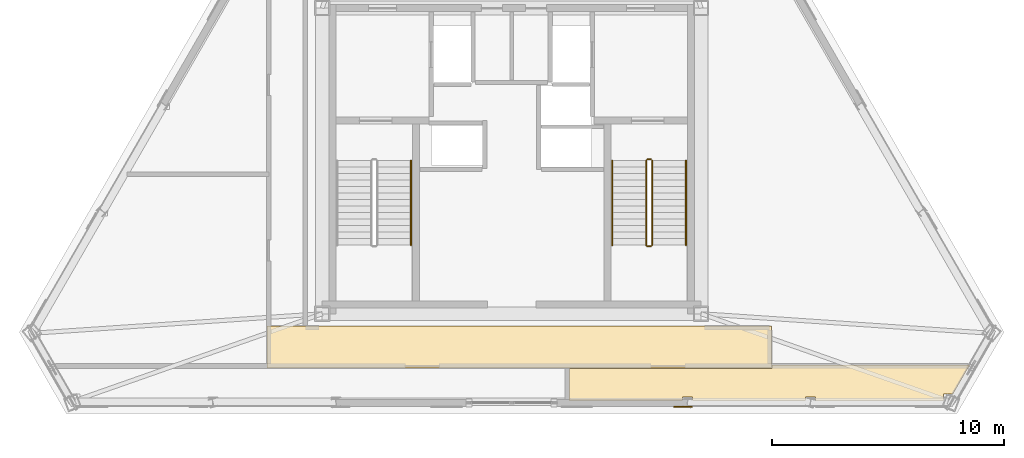
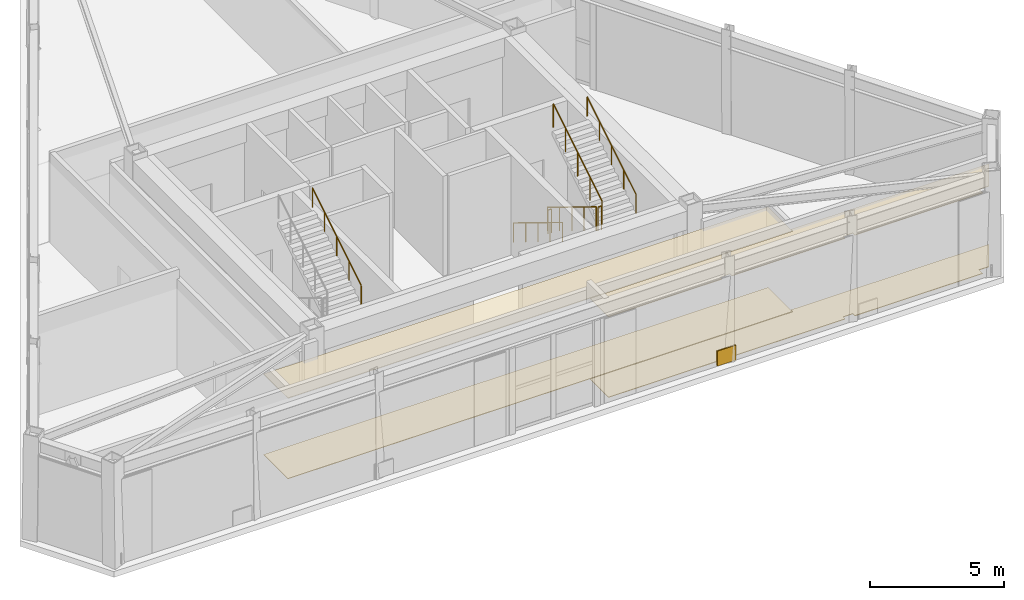
# One storey, part 11 of 12: 7 railings, 5 coverings.
"""IFC4 building model written with IfcOpenShell, lengths in metres."""

from ifc_helpers import new_model, si_unit, direction, frame, origin, origin_2d, place, context, subcontext, project, spatial, polyline, rectangle, circle, outline, extrude, material, layer, layer_set, type_object, element, save


model = new_model("IFC4")

# Units and contexts
model_context = context("Model", 3, precision=1e-05, world=origin(), true_north=direction((0.0, 1.0)))
body_context = subcontext(model_context, "Body", "Model", "MODEL_VIEW")
ifc_project = project(units=[si_unit("LENGTHUNIT", "METRE"), si_unit("AREAUNIT", "SQUARE_METRE"), si_unit("VOLUMEUNIT", "CUBIC_METRE"), si_unit("PLANEANGLEUNIT", "RADIAN"), si_unit("MASSUNIT", "GRAM", prefix="KILO")], contexts=[model_context])

# Site, building, storey
site_placement = place(None, origin())
site = spatial("IfcSite", under=ifc_project, at=site_placement, CompositionType="ELEMENT")
building_placement = place(site_placement, origin())
building = spatial("IfcBuilding", under=site, at=building_placement, Name="Oramaril Tower", CompositionType="ELEMENT")
storey_placement = place(building_placement, frame((0.0, 0.0, 314.10009765625)))
storey = spatial("IfcBuildingStorey", under=building, at=storey_placement, Name="L82", CompositionType="ELEMENT", Elevation=314.10009765625)

# Coverings
ifc_material_1 = material(Name="Mineral Fibre Acoustic Ceiling")
ifc_layer_1 = layer(ifc_material_1, 0.02001953125)
ifc_layer_set_1 = layer_set([ifc_layer_1], Name="CVT-CEIL")
covering_type_1 = type_object("IfcCoveringType", Name="CVT-CEIL", PredefinedType="CEILING", material=ifc_layer_set_1)
covering_1_placement = place(storey_placement, frame((0.0, 0.0, 3.671875)))
element("IfcCovering", 1, at=covering_1_placement, inside=storey, type_object=covering_type_1, Name="L82 Acoustic Suspended Ceiling 1", PredefinedType="CEILING", context=body_context, shape_type="SweptSolid", body=[
    extrude(outline(polyline([(48.679931640625, 10.47998046875), (48.679931640625, 8.669921875), (26.969970703125, 8.669921875), (26.969970703125, 10.47998046875), (48.679931640625, 10.47998046875)])), origin(), (0.0, 0.0, 1.0), 0.02001953125),
])
covering_2_placement = place(storey_placement, frame((0.0, 0.0, 3.671875)))
element("IfcCovering", 2, at=covering_2_placement, inside=storey, type_object=covering_type_1, Name="L82 Acoustic Suspended Ceiling 5", PredefinedType="CEILING", context=body_context, shape_type="SweptSolid", body=[
    extrude(outline(polyline([(50.567626953125, 7.425537109375), (50.140380859375, 7.425537109375), (50.140380859375, 7.272216796875), (45.27197265625, 7.272216796875), (45.27197265625, 7.425537109375), (44.8505859375, 7.425537109375), (44.8505859375, 7.272216796875), (39.9619140625, 7.272216796875), (39.9619140625, 8.64990234375), (48.679931640625, 8.64990234375), (48.681884765625, 8.650146484375), (48.683837890625, 8.650390625), (48.685791015625, 8.65087890625), (48.687744140625, 8.651611328125), (48.689453125, 8.65234375), (48.691162109375, 8.6533203125), (48.692626953125, 8.654541015625), (48.694091796875, 8.656005859375), (48.695556640625, 8.6572265625), (48.696533203125, 8.658935546875), (48.697509765625, 8.66064453125), (48.698486328125, 8.662353515625), (48.69921875, 8.664306640625), (48.69970703125, 8.666015625), (48.699951171875, 8.66796875), (48.699951171875, 8.669921875), (48.699951171875, 8.7919921875), (57.207763671875, 8.7919921875), (56.484375, 7.5390625), (56.072509765625, 7.5390625), (56.072509765625, 7.272216796875), (50.567626953125, 7.272216796875), (50.567626953125, 7.425537109375)])), origin(), (0.0, 0.0, 1.0), 0.02001953125),
])
ifc_material_2 = material(Name="Warm Cream Limestone", Category="masonry")
ifc_layer_2 = layer(ifc_material_2, 0.050048828125)
ifc_layer_set_2 = layer_set([ifc_layer_2], Name="CVT-CLD")
covering_type_2 = type_object("IfcCoveringType", Name="CVT-CLD", PredefinedType="CLADDING", material=ifc_layer_set_2)
covering_3_placement = place(storey_placement, frame((44.87158203125, 6.996337890625, 0.0400390625), z_axis=(0.0, 0.0, 1.0), x_axis=(1.0, 0.0, 0.0)))
element("IfcCovering", 3, at=covering_3_placement, inside=storey, type_object=covering_type_2, Name="L82 Warm Cream Limestone Spandrel Cladding", PredefinedType="CLADDING", context=body_context, shape_type="SweptSolid", body=[
    extrude(rectangle(XDim=0.800048828125, YDim=0.050048828125, at=origin_2d()), origin(), (0.0, 0.0, 1.0), 0.679931640625),
])
ifc_material_3 = material(Name="Honed Quartzite Stone Flooring", Category="masonry")
ifc_layer_3 = layer(ifc_material_3, 0.02490234375)
ifc_layer_set_3 = layer_set([ifc_layer_3], Name="CVT-FLR")
covering_type_3 = type_object("IfcCoveringType", Name="CVT-FLR", PredefinedType="FLOORING", material=ifc_layer_set_3)
covering_4_placement = place(storey_placement, origin())
element("IfcCovering", 4, at=covering_4_placement, inside=storey, type_object=covering_type_3, Name="L82 Honed Stone Floor Finish 1", PredefinedType="FLOORING", context=body_context, shape_type="SweptSolid", body=[
    extrude(outline(polyline([(48.679931640625, 10.47998046875), (48.679931640625, 8.669921875), (26.969970703125, 8.669921875), (26.969970703125, 10.47998046875), (48.679931640625, 10.47998046875)])), origin(), (0.0, 0.0, 1.0), 0.02490234375),
])
covering_5_placement = place(storey_placement, origin())
element("IfcCovering", 5, at=covering_5_placement, inside=storey, type_object=covering_type_3, Name="L82 Honed Stone Floor Finish 5", PredefinedType="FLOORING", context=body_context, shape_type="SweptSolid", body=[
    extrude(outline(polyline([(50.567626953125, 7.425537109375), (50.140380859375, 7.425537109375), (50.140380859375, 7.272216796875), (45.27197265625, 7.272216796875), (45.27197265625, 7.425537109375), (44.8505859375, 7.425537109375), (44.8505859375, 7.272216796875), (39.9619140625, 7.272216796875), (39.9619140625, 8.64990234375), (48.679931640625, 8.64990234375), (48.681884765625, 8.650146484375), (48.683837890625, 8.650390625), (48.685791015625, 8.65087890625), (48.687744140625, 8.651611328125), (48.689453125, 8.65234375), (48.691162109375, 8.6533203125), (48.692626953125, 8.654541015625), (48.694091796875, 8.656005859375), (48.695556640625, 8.6572265625), (48.696533203125, 8.658935546875), (48.697509765625, 8.66064453125), (48.698486328125, 8.662353515625), (48.69921875, 8.664306640625), (48.69970703125, 8.666015625), (48.699951171875, 8.66796875), (48.699951171875, 8.669921875), (48.699951171875, 8.7919921875), (57.207763671875, 8.7919921875), (56.484375, 7.5390625), (56.072509765625, 7.5390625), (56.072509765625, 7.272216796875), (50.567626953125, 7.272216796875), (50.567626953125, 7.425537109375)])), origin(), (0.0, 0.0, 1.0), 0.02490234375),
])

# Railings
ifc_material_4 = material(Name="Stainless Steel 316L", Category="steel")
railing_type_1 = type_object("IfcRailingType", Name="RLT-GRD", PredefinedType="GUARDRAIL", material=ifc_material_4)
railing_1_placement = place(storey_placement, frame((43.2900390625, 17.590087890625, 0.17138671875)))
element("IfcRailing", 6, at=railing_1_placement, inside=storey, type_object=railing_type_1, Name="L82 ST-2 stair guard 1", PredefinedType="GUARDRAIL", context=body_context, shape_type="SweptSolid", body=[
    extrude(circle(Radius=0.02392578125, at=origin_2d()), frame((0.0, 0.0, 1.076171875), z_axis=(0.0, -0.852865859571, 0.52213008492), x_axis=(1.0, 0.0, 0.0)), (0.0, 0.0, 1.0), 4.26806640625),
    extrude(circle(Radius=0.02099609375, at=origin_2d()), origin(), (0.0, 0.0, 1.0), 1.052001953125),
    extrude(circle(Radius=0.02099609375, at=origin_2d()), frame((0.0, -0.91015625, 0.55712890625)), (0.0, 0.0, 1.0), 1.052001953125),
    extrude(circle(Radius=0.02099609375, at=origin_2d()), frame((0.0, -1.820068359375, 1.1142578125)), (0.0, 0.0, 1.0), 1.052001953125),
    extrude(circle(Radius=0.02099609375, at=origin_2d()), frame((0.0, -2.72998046875, 1.67138671875)), (0.0, 0.0, 1.0), 1.052001953125),
    extrude(circle(Radius=0.02099609375, at=origin_2d()), frame((0.0, -3.64013671875, 2.228515625)), (0.0, 0.0, 1.0), 1.052001953125),
])
railing_2_placement = place(storey_placement, frame((43.340087890625, 13.89990234375, 2.39990234375)))
element("IfcRailing", 7, at=railing_2_placement, inside=storey, type_object=railing_type_1, Name="L82 ST-2 stair guard 2", PredefinedType="GUARDRAIL", context=body_context, shape_type="SweptSolid", body=[
    extrude(circle(Radius=0.02392578125, at=origin_2d()), frame((0.0, 0.0, 1.076171875), z_axis=(1.0, 0.0, 0.0), x_axis=(0.0, 1.0, 0.0)), (0.0, 0.0, 1.0), 0.14990234375),
    extrude(circle(Radius=0.02099609375, at=origin_2d()), origin(), (0.0, 0.0, 1.0), 1.052001953125),
    extrude(circle(Radius=0.02099609375, at=origin_2d()), frame((0.14990234375, 0.0, 0.0)), (0.0, 0.0, 1.0), 1.052001953125),
])
railing_3_placement = place(storey_placement, frame((43.5400390625, 13.949951171875, 2.5712890625)))
element("IfcRailing", 8, at=railing_3_placement, inside=storey, type_object=railing_type_1, Name="L82 ST-2 stair guard 3", PredefinedType="GUARDRAIL", context=body_context, shape_type="SweptSolid", body=[
    extrude(circle(Radius=0.02392578125, at=origin_2d()), frame((0.0, 0.0, 1.076171875), z_axis=(0.0, 0.852865859571, 0.52213008492), x_axis=(-1.0, 0.0, 0.0)), (0.0, 0.0, 1.0), 4.26806640625),
    extrude(circle(Radius=0.02099609375, at=origin_2d()), origin(), (0.0, 0.0, 1.0), 1.052001953125),
    extrude(circle(Radius=0.02099609375, at=origin_2d()), frame((0.0, 0.91015625, 0.55712890625)), (0.0, 0.0, 1.0), 1.052001953125),
    extrude(circle(Radius=0.02099609375, at=origin_2d()), frame((0.0, 1.820068359375, 1.1142578125)), (0.0, 0.0, 1.0), 1.052001953125),
    extrude(circle(Radius=0.02099609375, at=origin_2d()), frame((0.0, 2.72998046875, 1.67138671875)), (0.0, 0.0, 1.0), 1.052001953125),
    extrude(circle(Radius=0.02099609375, at=origin_2d()), frame((0.0, 3.64013671875, 2.228515625)), (0.0, 0.0, 1.0), 1.052001953125),
])
railing_4_placement = place(storey_placement, frame((43.340087890625, 17.639892578125, 0.0)))
element("IfcRailing", 9, at=railing_4_placement, inside=storey, type_object=railing_type_1, Name="L82 ST-2 stair guard 4", PredefinedType="GUARDRAIL", context=body_context, shape_type="SweptSolid", body=[
    extrude(circle(Radius=0.02392578125, at=origin_2d()), frame((0.0, 0.0, 1.076171875), z_axis=(1.0, 0.0, 0.0), x_axis=(0.0, 1.0, 0.0)), (0.0, 0.0, 1.0), 0.14990234375),
    extrude(circle(Radius=0.02099609375, at=origin_2d()), origin(), (0.0, 0.0, 1.0), 1.052001953125),
    extrude(circle(Radius=0.02099609375, at=origin_2d()), frame((0.14990234375, 0.0, 0.0)), (0.0, 0.0, 1.0), 1.052001953125),
])
ifc_material_5 = material(Name="Stainless Steel 316L", Category="steel")
railing_type_2 = type_object("IfcRailingType", Name="RLT-HND", PredefinedType="HANDRAIL", material=ifc_material_5)
railing_5_placement = place(storey_placement, frame((33.169921875, 13.949951171875, 2.5712890625)))
element("IfcRailing", 10, at=railing_5_placement, inside=storey, type_object=railing_type_2, Name="L82 ST-1 stair handrail 2", PredefinedType="HANDRAIL", context=body_context, shape_type="SweptSolid", body=[
    extrude(circle(Radius=0.02392578125, at=origin_2d()), frame((0.0, 0.0, 0.8759765625), z_axis=(0.0, 0.852865859571, 0.52213008492), x_axis=(-1.0, 0.0, 0.0)), (0.0, 0.0, 1.0), 4.26806640625),
    extrude(circle(Radius=0.02099609375, at=origin_2d()), origin(), (0.0, 0.0, 1.0), 0.851806640625),
    extrude(circle(Radius=0.02099609375, at=origin_2d()), frame((0.0, 0.91015625, 0.55712890625)), (0.0, 0.0, 1.0), 0.851806640625),
    extrude(circle(Radius=0.02099609375, at=origin_2d()), frame((0.0, 1.820068359375, 1.1142578125)), (0.0, 0.0, 1.0), 0.851806640625),
    extrude(circle(Radius=0.02099609375, at=origin_2d()), frame((0.0, 2.72998046875, 1.67138671875)), (0.0, 0.0, 1.0), 0.851806640625),
    extrude(circle(Radius=0.02099609375, at=origin_2d()), frame((0.0, 3.64013671875, 2.228515625)), (0.0, 0.0, 1.0), 0.851806640625),
])
railing_6_placement = place(storey_placement, frame((41.830078125, 17.590087890625, 0.17138671875)))
element("IfcRailing", 11, at=railing_6_placement, inside=storey, type_object=railing_type_2, Name="L82 ST-2 stair handrail 1", PredefinedType="HANDRAIL", context=body_context, shape_type="SweptSolid", body=[
    extrude(circle(Radius=0.02392578125, at=origin_2d()), frame((0.0, 0.0, 0.8759765625), z_axis=(0.0, -0.852865859571, 0.52213008492), x_axis=(1.0, 0.0, 0.0)), (0.0, 0.0, 1.0), 4.26806640625),
    extrude(circle(Radius=0.02099609375, at=origin_2d()), origin(), (0.0, 0.0, 1.0), 0.851806640625),
    extrude(circle(Radius=0.02099609375, at=origin_2d()), frame((0.0, -0.91015625, 0.55712890625)), (0.0, 0.0, 1.0), 0.851806640625),
    extrude(circle(Radius=0.02099609375, at=origin_2d()), frame((0.0, -1.820068359375, 1.1142578125)), (0.0, 0.0, 1.0), 0.851806640625),
    extrude(circle(Radius=0.02099609375, at=origin_2d()), frame((0.0, -2.72998046875, 1.67138671875)), (0.0, 0.0, 1.0), 0.851806640625),
    extrude(circle(Radius=0.02099609375, at=origin_2d()), frame((0.0, -3.64013671875, 2.228515625)), (0.0, 0.0, 1.0), 0.851806640625),
])
railing_7_placement = place(storey_placement, frame((45.0, 13.949951171875, 2.5712890625)))
element("IfcRailing", 12, at=railing_7_placement, inside=storey, type_object=railing_type_2, Name="L82 ST-2 stair handrail 2", PredefinedType="HANDRAIL", context=body_context, shape_type="SweptSolid", body=[
    extrude(circle(Radius=0.02392578125, at=origin_2d()), frame((0.0, 0.0, 0.8759765625), z_axis=(0.0, 0.852865859571, 0.52213008492), x_axis=(-1.0, 0.0, 0.0)), (0.0, 0.0, 1.0), 4.26806640625),
    extrude(circle(Radius=0.02099609375, at=origin_2d()), origin(), (0.0, 0.0, 1.0), 0.851806640625),
    extrude(circle(Radius=0.02099609375, at=origin_2d()), frame((0.0, 0.91015625, 0.55712890625)), (0.0, 0.0, 1.0), 0.851806640625),
    extrude(circle(Radius=0.02099609375, at=origin_2d()), frame((0.0, 1.820068359375, 1.1142578125)), (0.0, 0.0, 1.0), 0.851806640625),
    extrude(circle(Radius=0.02099609375, at=origin_2d()), frame((0.0, 2.72998046875, 1.67138671875)), (0.0, 0.0, 1.0), 0.851806640625),
    extrude(circle(Radius=0.02099609375, at=origin_2d()), frame((0.0, 3.64013671875, 2.228515625)), (0.0, 0.0, 1.0), 0.851806640625),
])

save(model, "model.ifc")
